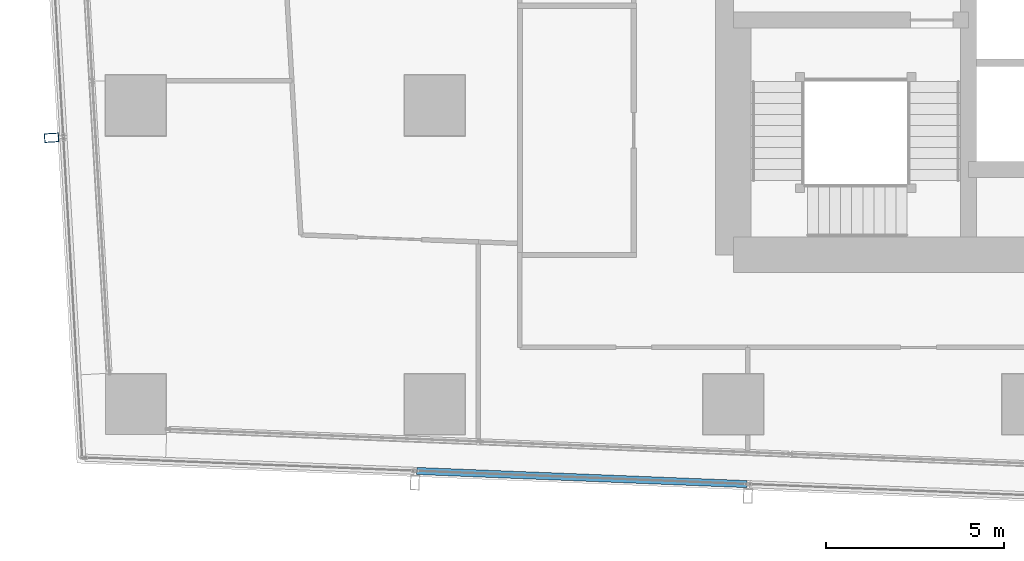
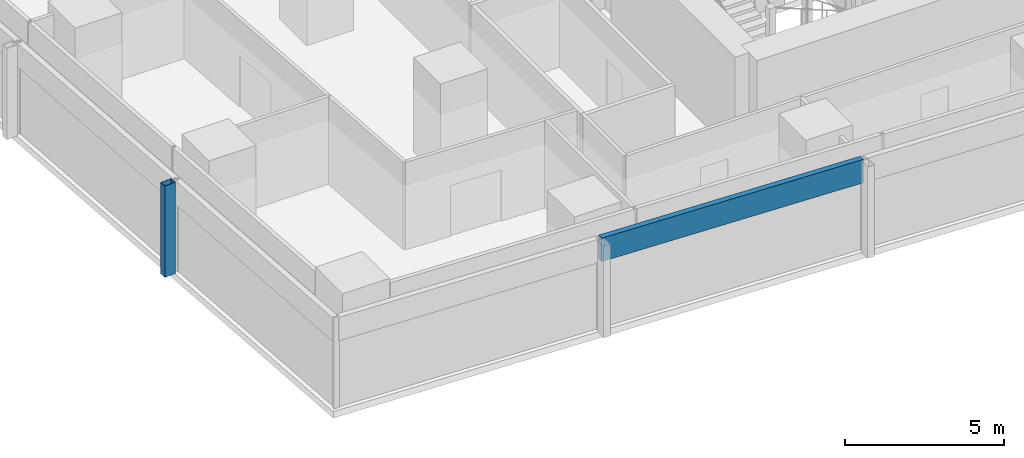
# One storey, part 4 of 34: 2 members, 2 elements without a shape of their own.
"""IFC4 building model written with IfcOpenShell, lengths in metres."""

from ifc_helpers import new_model, si_unit, direction, frame, origin, origin_2d, place, context, subcontext, project, spatial, hollow_rectangle, extrude, material, material_profile, profile_set, type_object, element, aggregate, save


model = new_model("IFC4")

# Units and contexts
model_context = context("Model", 3, precision=1e-05, world=origin(), true_north=direction((0.0, 1.0)))
body_context = subcontext(model_context, "Body", "Model", "MODEL_VIEW")
ifc_project = project(units=[si_unit("LENGTHUNIT", "METRE"), si_unit("AREAUNIT", "SQUARE_METRE"), si_unit("VOLUMEUNIT", "CUBIC_METRE"), si_unit("PLANEANGLEUNIT", "RADIAN"), si_unit("MASSUNIT", "GRAM", prefix="KILO")], contexts=[model_context])

# Site, building, storey
site_placement = place(None, origin())
site = spatial("IfcSite", under=ifc_project, at=site_placement, CompositionType="ELEMENT")
building_placement = place(site_placement, origin())
building = spatial("IfcBuilding", under=site, at=building_placement, Name="Rekha Terrace Tower", CompositionType="ELEMENT")
storey_placement = place(building_placement, frame((0.0, 0.0, 176.449951171875)))
storey = spatial("IfcBuildingStorey", under=building, at=storey_placement, Name="L44", CompositionType="ELEMENT", Elevation=176.449951171875)

# Curtain wall, member
ifc_material_1 = material(Name="Aluminium framing", Category="aluminium")
curtain_wall_type = type_object("IfcCurtainWallType", Name="CW2 double skin outer glazing", PredefinedType="USERDEFINED", material=ifc_material_1)
curtain_wall_1_placement = place(storey_placement, origin())
curtain_wall_1 = element("IfcCurtainWall", 1, at=curtain_wall_1_placement, inside=storey, type_object=curtain_wall_type, Name="CW2 double skin outer glazing", ObjectType="DOUBLE SKIN OUTER GLAZING", PredefinedType="USERDEFINED")
ifc_material_2 = material(Name="Steel S355 with fluorocarbon finish", Category="steel")
ifc_material_profile_1 = material_profile(ifc_material_2, hollow_rectangle(XDim=0.25, YDim=0.39990234375, WallThickness=0.012451171875, at=origin_2d()), Name="RHS400x250x12.5")
ifc_profile_set_1 = profile_set([ifc_material_profile_1], Name="Steel S355 with fluorocarbon finish")
member_type_1 = type_object("IfcMemberType", Name="BL1 facade blade RHS 400 x 250", PredefinedType="USERDEFINED", material=ifc_profile_set_1)
member_1_placement = place(storey_placement, frame((6.03662109375, 24.292236328125, 0.0), z_axis=(0.0, 0.0, 1.0), x_axis=(0.058764522885, -0.998271872212, 0.0)))
member_1 = element("IfcMember", 2, at=member_1_placement, type_object=member_type_1, Name="Facade blade", ObjectType="FACADE BLADE", PredefinedType="USERDEFINED", context=body_context, shape_type="SweptSolid", body=[
    extrude(hollow_rectangle(XDim=0.25, YDim=0.39990234375, WallThickness=0.012451171875, at=origin_2d()), origin(), (0.0, 0.0, 1.0), 3.5),
])
aggregate(curtain_wall_1, [member_1])

curtain_wall_2_placement = place(storey_placement, origin())
curtain_wall_2 = element("IfcCurtainWall", 3, at=curtain_wall_2_placement, inside=storey, type_object=curtain_wall_type, Name="CW2 double skin outer glazing", ObjectType="DOUBLE SKIN OUTER GLAZING", PredefinedType="USERDEFINED")
ifc_material_3 = material(Name="Insulated aluminium spandrel box", Category="aluminium")
ifc_material_profile_2 = material_profile(ifc_material_3, hollow_rectangle(XDim=0.199951171875, YDim=0.89990234375, WallThickness=0.0029296875, at=origin_2d()), Name="AL SPANDREL BOX 200x900")
ifc_profile_set_2 = profile_set([ifc_material_profile_2], Name="Insulated aluminium spandrel box")
member_type_2 = type_object("IfcMemberType", Name="CW2 spandrel transom 200 x 900", PredefinedType="USERDEFINED", material=ifc_profile_set_2)
member_2_placement = place(storey_placement, frame((16.2998046875, 14.928955078125, 3.050048828125), z_axis=(0.999205404308, -0.039856743486, 0.0), x_axis=(0.039856743486, 0.999205404308, 0.0)))
member_2 = element("IfcMember", 4, at=member_2_placement, type_object=member_type_2, Name="CW2 spandrel transom 2", ObjectType="TRANSOM", PredefinedType="USERDEFINED", context=body_context, shape_type="SweptSolid", body=[
    extrude(hollow_rectangle(XDim=0.199951171875, YDim=0.89990234375, WallThickness=0.0029296875, at=origin_2d()), origin(), (0.0, 0.0, 1.0), 9.2861328125),
])
aggregate(curtain_wall_2, [member_2])

save(model, "model.ifc")
